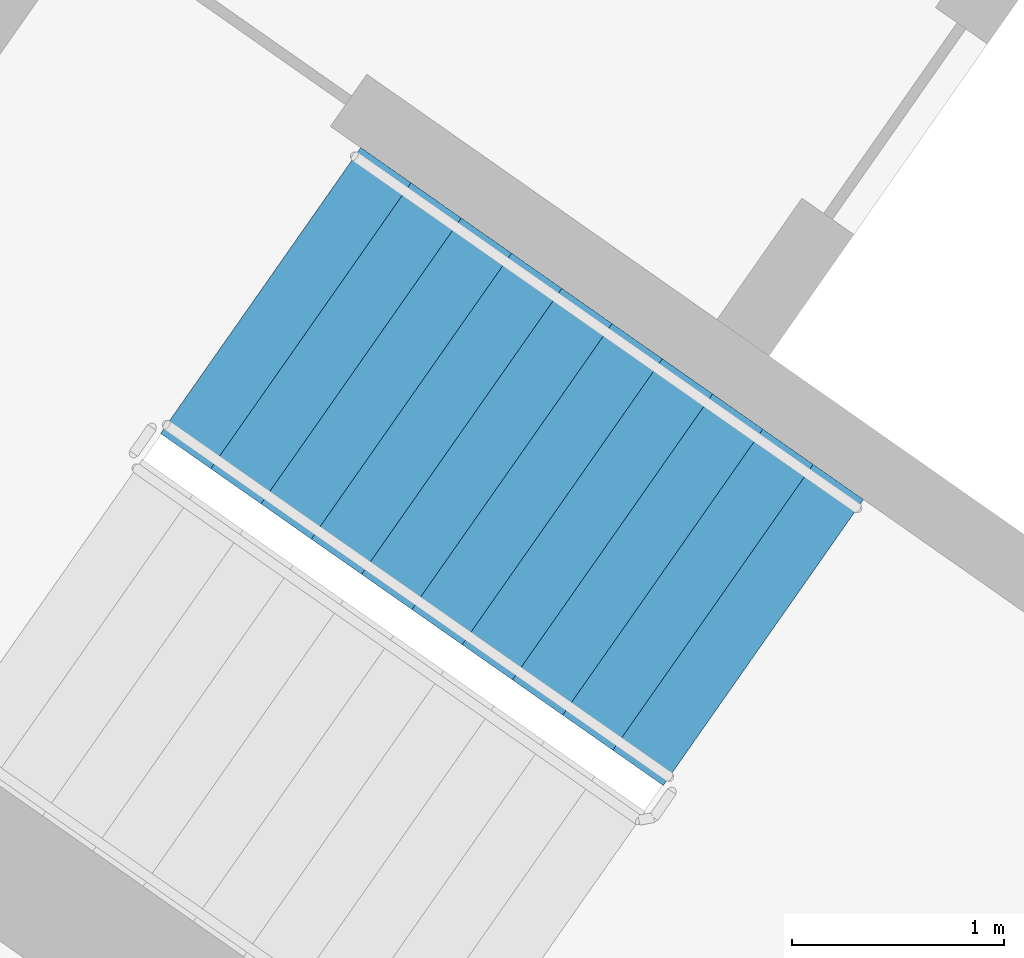
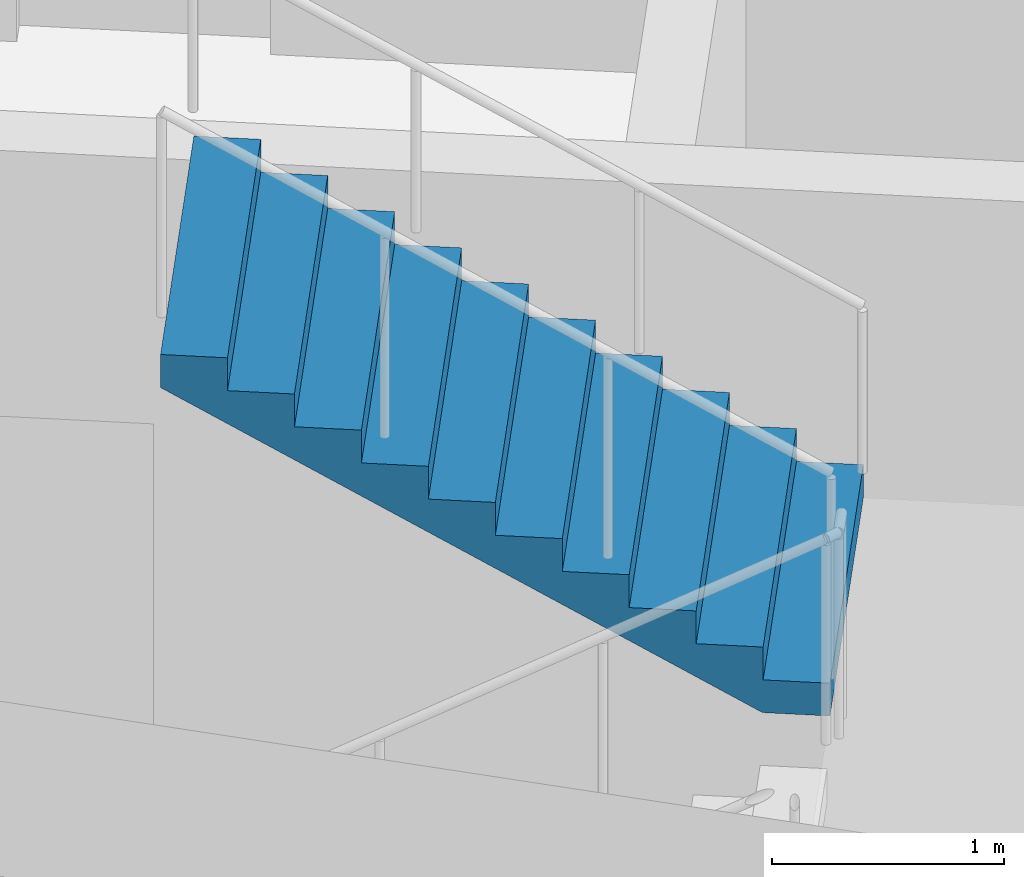
# One storey, part 11 of 28: 1 stair flight, 1 element without a shape of its own.
"""IFC4 building model written with IfcOpenShell, lengths in metres."""

from ifc_helpers import new_model, si_unit, direction, frame, origin, place, context, subcontext, project, spatial, faceted_brep, material, type_object, element, aggregate, save


model = new_model("IFC4")

# Units and contexts
model_context = context("Model", 3, precision=1e-05, world=origin(), true_north=direction((0.0, 1.0)))
body_context = subcontext(model_context, "Body", "Model", "MODEL_VIEW")
ifc_project = project(units=[si_unit("LENGTHUNIT", "METRE"), si_unit("AREAUNIT", "SQUARE_METRE"), si_unit("VOLUMEUNIT", "CUBIC_METRE"), si_unit("PLANEANGLEUNIT", "RADIAN"), si_unit("MASSUNIT", "GRAM", prefix="KILO")], contexts=[model_context])

# Site, building, storey
site_placement = place(None, origin())
site = spatial("IfcSite", under=ifc_project, at=site_placement, CompositionType="ELEMENT")
building_placement = place(site_placement, origin())
building = spatial("IfcBuilding", under=site, at=building_placement, Name="Qamariyya Broadcast Tower", CompositionType="ELEMENT")
storey_placement = place(building_placement, frame((0.0, 0.0, 234.10009765625)))
storey = spatial("IfcBuildingStorey", under=building, at=storey_placement, Name="L56", CompositionType="ELEMENT", Elevation=234.10009765625)

# Stair, stair flight
ifc_material = material(Name="Concrete C50/60", Category="concrete")
stair_type = type_object("IfcStairType", Name="Exit stair 22 risers of 173 mm", PredefinedType="HALF_TURN_STAIR", material=ifc_material)
stair_placement = place(storey_placement, origin())
stair = element("IfcStair", 1, at=stair_placement, inside=storey, type_object=stair_type, Name="L56 Stair W1", PredefinedType="HALF_TURN_STAIR")
stair_flight_type = type_object("IfcStairFlightType", Name="Exit stair flight 11 risers of 173 mm", PredefinedType="STRAIGHT", material=ifc_material)
stair_flight_placement = place(storey_placement, frame((-43.660888671875, -57.17138671875, 1.89990234375), z_axis=(0.0, 0.0, 1.0), x_axis=(-0.819152044289, 0.573576436351, 0.0)))
stair_flight = element("IfcStairFlight", 2, at=stair_flight_placement, type_object=stair_flight_type, Name="ST-W1 flight 2", NumberOfRisers=11, NumberOfTreads=10, PredefinedType="STRAIGHT", RiserHeight=0.172727273, TreadLength=0.29, context=body_context, shape_type="Brep", body=[
    faceted_brep([(0.0, 0.824951171875, 0.0), (0.0, 0.824951171875, 0.172607421875), (0.2900390625, 0.824951171875, 0.172607421875), (0.2900390625, 0.824951171875, 0.345458984375), (0.580078125, 0.824951171875, 0.345458984375), (0.580078125, 0.824951171875, 0.51806640625), (0.8701171875, 0.824951171875, 0.51806640625), (0.8701171875, 0.824951171875, 0.69091796875), (1.159912109375, 0.824951171875, 0.69091796875), (1.159912109375, 0.824951171875, 0.863525390625), (1.449951171875, 0.824951171875, 0.863525390625), (1.449951171875, 0.824951171875, 1.036376953125), (1.739990234375, 0.824951171875, 1.036376953125), (1.739990234375, 0.824951171875, 1.208984375), (2.030029296875, 0.824951171875, 1.208984375), (2.030029296875, 0.824951171875, 1.3818359375), (2.320068359375, 0.824951171875, 1.3818359375), (2.320068359375, 0.824951171875, 1.554443359375), (2.610107421875, 0.824951171875, 1.554443359375), (2.610107421875, 0.824951171875, 1.727294921875), (2.89990234375, 0.824951171875, 1.727294921875), (2.89990234375, 0.824951171875, 1.552734375), (0.29296875, 0.824951171875, 0.0), (0.29296875, -0.824951171875, 0.0), (2.89990234375, -0.824951171875, 1.552734375), (2.89990234375, -0.824951171875, 1.727294921875), (2.610107421875, -0.824951171875, 1.727294921875), (2.610107421875, -0.824951171875, 1.554443359375), (2.320068359375, -0.824951171875, 1.554443359375), (2.320068359375, -0.824951171875, 1.3818359375), (2.030029296875, -0.824951171875, 1.3818359375), (2.030029296875, -0.824951171875, 1.208984375), (1.739990234375, -0.824951171875, 1.208984375), (1.739990234375, -0.824951171875, 1.036376953125), (1.449951171875, -0.824951171875, 1.036376953125), (1.449951171875, -0.824951171875, 0.863525390625), (1.159912109375, -0.824951171875, 0.863525390625), (1.159912109375, -0.824951171875, 0.69091796875), (0.8701171875, -0.824951171875, 0.69091796875), (0.8701171875, -0.824951171875, 0.51806640625), (0.580078125, -0.824951171875, 0.51806640625), (0.580078125, -0.824951171875, 0.345458984375), (0.2900390625, -0.824951171875, 0.345458984375), (0.2900390625, -0.824951171875, 0.172607421875), (0.0, -0.824951171875, 0.172607421875), (0.0, -0.824951171875, 0.0), (0.0, 0.10009765625, 0.0), (0.0, 0.086669921875, 0.0), (0.0, 0.0732421875, 0.0), (0.0, 0.06005859375, 0.0), (0.0, 0.046630859375, 0.0), (0.0, 0.033447265625, 0.0), (0.0, 0.02001953125, 0.0), (0.0, 0.006591796875, 0.0), (0.0, -0.006591796875, 0.0), (0.0, -0.02001953125, 0.0), (0.0, -0.033447265625, 0.0), (0.0, -0.046630859375, 0.0), (0.0, -0.06005859375, 0.0), (0.0, -0.0732421875, 0.0), (0.0, -0.086669921875, 0.0), (0.0, -0.10009765625, 0.0), (0.0, -0.10009765625, 0.172607421875), (0.0, -0.086669921875, 0.172607421875), (0.0, -0.0732421875, 0.172607421875), (0.0, -0.06005859375, 0.172607421875), (0.0, -0.046630859375, 0.172607421875), (0.0, -0.033447265625, 0.172607421875), (0.0, -0.02001953125, 0.172607421875), (0.0, -0.006591796875, 0.172607421875), (0.0, 0.006591796875, 0.172607421875), (0.0, 0.02001953125, 0.172607421875), (0.0, 0.033447265625, 0.172607421875), (0.0, 0.046630859375, 0.172607421875), (0.0, 0.06005859375, 0.172607421875), (0.0, 0.0732421875, 0.172607421875), (0.0, 0.086669921875, 0.172607421875), (0.0, 0.10009765625, 0.172607421875), (0.2900390625, -0.10009765625, 0.172607421875), (0.2900390625, -0.086669921875, 0.172607421875), (0.2900390625, -0.0732421875, 0.172607421875), (0.2900390625, -0.06005859375, 0.172607421875), (0.2900390625, -0.046630859375, 0.172607421875), (0.2900390625, -0.033447265625, 0.172607421875), (0.2900390625, -0.02001953125, 0.172607421875), (0.2900390625, -0.006591796875, 0.172607421875), (0.2900390625, 0.006591796875, 0.172607421875), (0.2900390625, 0.02001953125, 0.172607421875), (0.2900390625, 0.033447265625, 0.172607421875), (0.2900390625, 0.046630859375, 0.172607421875), (0.2900390625, 0.06005859375, 0.172607421875), (0.2900390625, 0.0732421875, 0.172607421875), (0.2900390625, 0.086669921875, 0.172607421875), (0.2900390625, 0.10009765625, 0.172607421875), (0.2900390625, -0.10009765625, 0.345458984375), (0.2900390625, -0.086669921875, 0.345458984375), (0.2900390625, -0.0732421875, 0.345458984375), (0.2900390625, -0.06005859375, 0.345458984375), (0.2900390625, -0.046630859375, 0.345458984375), (0.2900390625, -0.033447265625, 0.345458984375), (0.2900390625, -0.02001953125, 0.345458984375), (0.2900390625, -0.006591796875, 0.345458984375), (0.2900390625, 0.006591796875, 0.345458984375), (0.2900390625, 0.02001953125, 0.345458984375), (0.2900390625, 0.033447265625, 0.345458984375), (0.2900390625, 0.046630859375, 0.345458984375), (0.2900390625, 0.06005859375, 0.345458984375), (0.2900390625, 0.0732421875, 0.345458984375), (0.2900390625, 0.086669921875, 0.345458984375), (0.2900390625, 0.10009765625, 0.345458984375), (0.580078125, -0.10009765625, 0.345458984375), (0.580078125, -0.086669921875, 0.345458984375), (0.580078125, -0.0732421875, 0.345458984375), (0.580078125, -0.06005859375, 0.345458984375), (0.580078125, -0.046630859375, 0.345458984375), (0.580078125, -0.033447265625, 0.345458984375), (0.580078125, -0.02001953125, 0.345458984375), (0.580078125, -0.006591796875, 0.345458984375), (0.580078125, 0.006591796875, 0.345458984375), (0.580078125, 0.02001953125, 0.345458984375), (0.580078125, 0.033447265625, 0.345458984375), (0.580078125, 0.046630859375, 0.345458984375), (0.580078125, 0.06005859375, 0.345458984375), (0.580078125, 0.0732421875, 0.345458984375), (0.580078125, 0.086669921875, 0.345458984375), (0.580078125, 0.10009765625, 0.345458984375), (0.580078125, -0.10009765625, 0.51806640625), (0.580078125, -0.086669921875, 0.51806640625), (0.580078125, -0.0732421875, 0.51806640625), (0.580078125, -0.06005859375, 0.51806640625), (0.580078125, -0.046630859375, 0.51806640625), (0.580078125, -0.033447265625, 0.51806640625), (0.580078125, -0.02001953125, 0.51806640625), (0.580078125, -0.006591796875, 0.51806640625), (0.580078125, 0.006591796875, 0.51806640625), (0.580078125, 0.02001953125, 0.51806640625), (0.580078125, 0.033447265625, 0.51806640625), (0.580078125, 0.046630859375, 0.51806640625), (0.580078125, 0.06005859375, 0.51806640625), (0.580078125, 0.0732421875, 0.51806640625), (0.580078125, 0.086669921875, 0.51806640625), (0.580078125, 0.10009765625, 0.51806640625), (0.8701171875, -0.10009765625, 0.51806640625), (0.8701171875, -0.086669921875, 0.51806640625), (0.8701171875, -0.0732421875, 0.51806640625), (0.8701171875, -0.06005859375, 0.51806640625), (0.8701171875, -0.046630859375, 0.51806640625), (0.8701171875, -0.033447265625, 0.51806640625), (0.8701171875, -0.02001953125, 0.51806640625), (0.8701171875, -0.006591796875, 0.51806640625), (0.8701171875, 0.006591796875, 0.51806640625), (0.8701171875, 0.02001953125, 0.51806640625), (0.8701171875, 0.033447265625, 0.51806640625), (0.8701171875, 0.046630859375, 0.51806640625), (0.8701171875, 0.06005859375, 0.51806640625), (0.8701171875, 0.0732421875, 0.51806640625), (0.8701171875, 0.086669921875, 0.51806640625), (0.8701171875, 0.10009765625, 0.51806640625), (0.8701171875, -0.10009765625, 0.69091796875), (0.8701171875, -0.086669921875, 0.69091796875), (0.8701171875, -0.0732421875, 0.69091796875), (0.8701171875, -0.06005859375, 0.69091796875), (0.8701171875, -0.046630859375, 0.69091796875), (0.8701171875, -0.033447265625, 0.69091796875), (0.8701171875, -0.02001953125, 0.69091796875), (0.8701171875, -0.006591796875, 0.69091796875), (0.8701171875, 0.006591796875, 0.69091796875), (0.8701171875, 0.02001953125, 0.69091796875), (0.8701171875, 0.033447265625, 0.69091796875), (0.8701171875, 0.046630859375, 0.69091796875), (0.8701171875, 0.06005859375, 0.69091796875), (0.8701171875, 0.0732421875, 0.69091796875), (0.8701171875, 0.086669921875, 0.69091796875), (0.8701171875, 0.10009765625, 0.69091796875), (1.159912109375, -0.10009765625, 0.69091796875), (1.159912109375, -0.086669921875, 0.69091796875), (1.159912109375, -0.0732421875, 0.69091796875), (1.159912109375, -0.06005859375, 0.69091796875), (1.159912109375, -0.046630859375, 0.69091796875), (1.159912109375, -0.033447265625, 0.69091796875), (1.159912109375, -0.02001953125, 0.69091796875), (1.159912109375, -0.006591796875, 0.69091796875), (1.159912109375, 0.006591796875, 0.69091796875), (1.159912109375, 0.02001953125, 0.69091796875), (1.159912109375, 0.033447265625, 0.69091796875), (1.159912109375, 0.046630859375, 0.69091796875), (1.159912109375, 0.06005859375, 0.69091796875), (1.159912109375, 0.0732421875, 0.69091796875), (1.159912109375, 0.086669921875, 0.69091796875), (1.159912109375, 0.10009765625, 0.69091796875), (1.159912109375, -0.10009765625, 0.863525390625), (1.159912109375, -0.086669921875, 0.863525390625), (1.159912109375, -0.0732421875, 0.863525390625), (1.159912109375, -0.06005859375, 0.863525390625), (1.159912109375, -0.046630859375, 0.863525390625), (1.159912109375, -0.033447265625, 0.863525390625), (1.159912109375, -0.02001953125, 0.863525390625), (1.159912109375, -0.006591796875, 0.863525390625), (1.159912109375, 0.006591796875, 0.863525390625), (1.159912109375, 0.02001953125, 0.863525390625), (1.159912109375, 0.033447265625, 0.863525390625), (1.159912109375, 0.046630859375, 0.863525390625), (1.159912109375, 0.06005859375, 0.863525390625), (1.159912109375, 0.0732421875, 0.863525390625), (1.159912109375, 0.086669921875, 0.863525390625), (1.159912109375, 0.10009765625, 0.863525390625), (1.449951171875, -0.10009765625, 0.863525390625), (1.449951171875, -0.086669921875, 0.863525390625), (1.449951171875, -0.0732421875, 0.863525390625), (1.449951171875, -0.06005859375, 0.863525390625), (1.449951171875, -0.046630859375, 0.863525390625), (1.449951171875, -0.033447265625, 0.863525390625), (1.449951171875, -0.02001953125, 0.863525390625), (1.449951171875, -0.006591796875, 0.863525390625), (1.449951171875, 0.006591796875, 0.863525390625), (1.449951171875, 0.02001953125, 0.863525390625), (1.449951171875, 0.033447265625, 0.863525390625), (1.449951171875, 0.046630859375, 0.863525390625), (1.449951171875, 0.06005859375, 0.863525390625), (1.449951171875, 0.0732421875, 0.863525390625), (1.449951171875, 0.086669921875, 0.863525390625), (1.449951171875, 0.10009765625, 0.863525390625), (1.449951171875, -0.10009765625, 1.036376953125), (1.449951171875, -0.086669921875, 1.036376953125), (1.449951171875, -0.0732421875, 1.036376953125), (1.449951171875, -0.06005859375, 1.036376953125), (1.449951171875, -0.046630859375, 1.036376953125), (1.449951171875, -0.033447265625, 1.036376953125), (1.449951171875, -0.02001953125, 1.036376953125), (1.449951171875, -0.006591796875, 1.036376953125), (1.449951171875, 0.006591796875, 1.036376953125), (1.449951171875, 0.02001953125, 1.036376953125), (1.449951171875, 0.033447265625, 1.036376953125), (1.449951171875, 0.046630859375, 1.036376953125), (1.449951171875, 0.06005859375, 1.036376953125), (1.449951171875, 0.0732421875, 1.036376953125), (1.449951171875, 0.086669921875, 1.036376953125), (1.449951171875, 0.10009765625, 1.036376953125), (1.739990234375, -0.10009765625, 1.036376953125), (1.739990234375, -0.086669921875, 1.036376953125), (1.739990234375, -0.0732421875, 1.036376953125), (1.739990234375, -0.06005859375, 1.036376953125), (1.739990234375, -0.046630859375, 1.036376953125), (1.739990234375, -0.033447265625, 1.036376953125), (1.739990234375, -0.02001953125, 1.036376953125), (1.739990234375, -0.006591796875, 1.036376953125), (1.739990234375, 0.006591796875, 1.036376953125), (1.739990234375, 0.02001953125, 1.036376953125), (1.739990234375, 0.033447265625, 1.036376953125), (1.739990234375, 0.046630859375, 1.036376953125), (1.739990234375, 0.06005859375, 1.036376953125), (1.739990234375, 0.0732421875, 1.036376953125), (1.739990234375, 0.086669921875, 1.036376953125), (1.739990234375, 0.10009765625, 1.036376953125), (1.739990234375, -0.10009765625, 1.208984375), (1.739990234375, -0.086669921875, 1.208984375), (1.739990234375, -0.0732421875, 1.208984375), (1.739990234375, -0.06005859375, 1.208984375), (1.739990234375, -0.046630859375, 1.208984375), (1.739990234375, -0.033447265625, 1.208984375), (1.739990234375, -0.02001953125, 1.208984375), (1.739990234375, -0.006591796875, 1.208984375), (1.739990234375, 0.006591796875, 1.208984375), (1.739990234375, 0.02001953125, 1.208984375), (1.739990234375, 0.033447265625, 1.208984375), (1.739990234375, 0.046630859375, 1.208984375), (1.739990234375, 0.06005859375, 1.208984375), (1.739990234375, 0.0732421875, 1.208984375), (1.739990234375, 0.086669921875, 1.208984375), (1.739990234375, 0.10009765625, 1.208984375), (2.030029296875, -0.10009765625, 1.208984375), (2.030029296875, -0.086669921875, 1.208984375), (2.030029296875, -0.0732421875, 1.208984375), (2.030029296875, -0.06005859375, 1.208984375), (2.030029296875, -0.046630859375, 1.208984375), (2.030029296875, -0.033447265625, 1.208984375), (2.030029296875, -0.02001953125, 1.208984375), (2.030029296875, -0.006591796875, 1.208984375), (2.030029296875, 0.006591796875, 1.208984375), (2.030029296875, 0.02001953125, 1.208984375), (2.030029296875, 0.033447265625, 1.208984375), (2.030029296875, 0.046630859375, 1.208984375), (2.030029296875, 0.06005859375, 1.208984375), (2.030029296875, 0.0732421875, 1.208984375), (2.030029296875, 0.086669921875, 1.208984375), (2.030029296875, 0.10009765625, 1.208984375), (2.030029296875, -0.10009765625, 1.3818359375), (2.030029296875, -0.086669921875, 1.3818359375), (2.030029296875, -0.0732421875, 1.3818359375), (2.030029296875, -0.06005859375, 1.3818359375), (2.030029296875, -0.046630859375, 1.3818359375), (2.030029296875, -0.033447265625, 1.3818359375), (2.030029296875, -0.02001953125, 1.3818359375), (2.030029296875, -0.006591796875, 1.3818359375), (2.030029296875, 0.006591796875, 1.3818359375), (2.030029296875, 0.02001953125, 1.3818359375), (2.030029296875, 0.033447265625, 1.3818359375), (2.030029296875, 0.046630859375, 1.3818359375), (2.030029296875, 0.06005859375, 1.3818359375), (2.030029296875, 0.0732421875, 1.3818359375), (2.030029296875, 0.086669921875, 1.3818359375), (2.030029296875, 0.10009765625, 1.3818359375), (2.320068359375, -0.10009765625, 1.3818359375), (2.320068359375, -0.086669921875, 1.3818359375), (2.320068359375, -0.0732421875, 1.3818359375), (2.320068359375, -0.06005859375, 1.3818359375), (2.320068359375, -0.046630859375, 1.3818359375), (2.320068359375, -0.033447265625, 1.3818359375), (2.320068359375, -0.02001953125, 1.3818359375), (2.320068359375, -0.006591796875, 1.3818359375), (2.320068359375, 0.006591796875, 1.3818359375), (2.320068359375, 0.02001953125, 1.3818359375), (2.320068359375, 0.033447265625, 1.3818359375), (2.320068359375, 0.046630859375, 1.3818359375), (2.320068359375, 0.06005859375, 1.3818359375), (2.320068359375, 0.0732421875, 1.3818359375), (2.320068359375, 0.086669921875, 1.3818359375), (2.320068359375, 0.10009765625, 1.3818359375), (2.320068359375, -0.10009765625, 1.554443359375), (2.320068359375, -0.086669921875, 1.554443359375), (2.320068359375, -0.0732421875, 1.554443359375), (2.320068359375, -0.06005859375, 1.554443359375), (2.320068359375, -0.046630859375, 1.554443359375), (2.320068359375, -0.033447265625, 1.554443359375), (2.320068359375, -0.02001953125, 1.554443359375), (2.320068359375, -0.006591796875, 1.554443359375), (2.320068359375, 0.006591796875, 1.554443359375), (2.320068359375, 0.02001953125, 1.554443359375), (2.320068359375, 0.033447265625, 1.554443359375), (2.320068359375, 0.046630859375, 1.554443359375), (2.320068359375, 0.06005859375, 1.554443359375), (2.320068359375, 0.0732421875, 1.554443359375), (2.320068359375, 0.086669921875, 1.554443359375), (2.320068359375, 0.10009765625, 1.554443359375), (2.610107421875, -0.10009765625, 1.554443359375), (2.610107421875, -0.086669921875, 1.554443359375), (2.610107421875, -0.0732421875, 1.554443359375), (2.610107421875, -0.06005859375, 1.554443359375), (2.610107421875, -0.046630859375, 1.554443359375), (2.610107421875, -0.033447265625, 1.554443359375), (2.610107421875, -0.02001953125, 1.554443359375), (2.610107421875, -0.006591796875, 1.554443359375), (2.610107421875, 0.006591796875, 1.554443359375), (2.610107421875, 0.02001953125, 1.554443359375), (2.610107421875, 0.033447265625, 1.554443359375), (2.610107421875, 0.046630859375, 1.554443359375), (2.610107421875, 0.06005859375, 1.554443359375), (2.610107421875, 0.0732421875, 1.554443359375), (2.610107421875, 0.086669921875, 1.554443359375), (2.610107421875, 0.10009765625, 1.554443359375), (2.610107421875, -0.10009765625, 1.727294921875), (2.610107421875, -0.086669921875, 1.727294921875), (2.610107421875, -0.0732421875, 1.727294921875), (2.610107421875, -0.06005859375, 1.727294921875), (2.610107421875, -0.046630859375, 1.727294921875), (2.610107421875, -0.033447265625, 1.727294921875), (2.610107421875, -0.02001953125, 1.727294921875), (2.610107421875, -0.006591796875, 1.727294921875), (2.610107421875, 0.006591796875, 1.727294921875), (2.610107421875, 0.02001953125, 1.727294921875), (2.610107421875, 0.033447265625, 1.727294921875), (2.610107421875, 0.046630859375, 1.727294921875), (2.610107421875, 0.06005859375, 1.727294921875), (2.610107421875, 0.0732421875, 1.727294921875), (2.610107421875, 0.086669921875, 1.727294921875), (2.610107421875, 0.10009765625, 1.727294921875), (2.89990234375, -0.10009765625, 1.727294921875), (2.89990234375, -0.086669921875, 1.727294921875), (2.89990234375, -0.0732421875, 1.727294921875), (2.89990234375, -0.06005859375, 1.727294921875), (2.89990234375, -0.046630859375, 1.727294921875), (2.89990234375, -0.033447265625, 1.727294921875), (2.89990234375, -0.02001953125, 1.727294921875), (2.89990234375, -0.006591796875, 1.727294921875), (2.89990234375, 0.006591796875, 1.727294921875), (2.89990234375, 0.02001953125, 1.727294921875), (2.89990234375, 0.033447265625, 1.727294921875), (2.89990234375, 0.046630859375, 1.727294921875), (2.89990234375, 0.06005859375, 1.727294921875), (2.89990234375, 0.0732421875, 1.727294921875), (2.89990234375, 0.086669921875, 1.727294921875), (2.89990234375, 0.10009765625, 1.727294921875), (2.89990234375, -0.10009765625, 1.552734375), (2.89990234375, -0.086669921875, 1.552734375), (2.89990234375, -0.0732421875, 1.552734375), (2.89990234375, -0.06005859375, 1.552734375), (2.89990234375, -0.046630859375, 1.552734375), (2.89990234375, -0.033447265625, 1.552734375), (2.89990234375, -0.02001953125, 1.552734375), (2.89990234375, -0.006591796875, 1.552734375), (2.89990234375, 0.006591796875, 1.552734375), (2.89990234375, 0.02001953125, 1.552734375), (2.89990234375, 0.033447265625, 1.552734375), (2.89990234375, 0.046630859375, 1.552734375), (2.89990234375, 0.06005859375, 1.552734375), (2.89990234375, 0.0732421875, 1.552734375), (2.89990234375, 0.086669921875, 1.552734375), (2.89990234375, 0.10009765625, 1.552734375), (0.29296875, -0.10009765625, 0.0), (0.29296875, -0.086669921875, 0.0), (0.29296875, -0.0732421875, 0.0), (0.29296875, -0.06005859375, 0.0), (0.29296875, -0.046630859375, 0.0), (0.29296875, -0.033447265625, 0.0), (0.29296875, -0.02001953125, 0.0), (0.29296875, -0.006591796875, 0.0), (0.29296875, 0.006591796875, 0.0), (0.29296875, 0.02001953125, 0.0), (0.29296875, 0.033447265625, 0.0), (0.29296875, 0.046630859375, 0.0), (0.29296875, 0.06005859375, 0.0), (0.29296875, 0.0732421875, 0.0), (0.29296875, 0.086669921875, 0.0), (0.29296875, 0.10009765625, 0.0)], [[[0, 1, 2, 3, 4, 5, 6, 7, 8, 9, 10, 11, 12, 13, 14, 15, 16, 17, 18, 19, 20, 21, 22]], [[23, 24, 25, 26, 27, 28, 29, 30, 31, 32, 33, 34, 35, 36, 37, 38, 39, 40, 41, 42, 43, 44, 45]], [[0, 46, 47, 48, 49, 50, 51, 52, 53, 54, 55, 56, 57, 58, 59, 60, 61, 45, 44, 62, 63, 64, 65, 66, 67, 68, 69, 70, 71, 72, 73, 74, 75, 76, 77, 1]], [[1, 77, 76, 75, 74, 73, 72, 71, 70, 69, 68, 67, 66, 65, 64, 63, 62, 44, 43, 78, 79, 80, 81, 82, 83, 84, 85, 86, 87, 88, 89, 90, 91, 92, 93, 2]], [[2, 93, 92, 91, 90, 89, 88, 87, 86, 85, 84, 83, 82, 81, 80, 79, 78, 43, 42, 94, 95, 96, 97, 98, 99, 100, 101, 102, 103, 104, 105, 106, 107, 108, 109, 3]], [[3, 109, 108, 107, 106, 105, 104, 103, 102, 101, 100, 99, 98, 97, 96, 95, 94, 42, 41, 110, 111, 112, 113, 114, 115, 116, 117, 118, 119, 120, 121, 122, 123, 124, 125, 4]], [[4, 125, 124, 123, 122, 121, 120, 119, 118, 117, 116, 115, 114, 113, 112, 111, 110, 41, 40, 126, 127, 128, 129, 130, 131, 132, 133, 134, 135, 136, 137, 138, 139, 140, 141, 5]], [[5, 141, 140, 139, 138, 137, 136, 135, 134, 133, 132, 131, 130, 129, 128, 127, 126, 40, 39, 142, 143, 144, 145, 146, 147, 148, 149, 150, 151, 152, 153, 154, 155, 156, 157, 6]], [[6, 157, 156, 155, 154, 153, 152, 151, 150, 149, 148, 147, 146, 145, 144, 143, 142, 39, 38, 158, 159, 160, 161, 162, 163, 164, 165, 166, 167, 168, 169, 170, 171, 172, 173, 7]], [[7, 173, 172, 171, 170, 169, 168, 167, 166, 165, 164, 163, 162, 161, 160, 159, 158, 38, 37, 174, 175, 176, 177, 178, 179, 180, 181, 182, 183, 184, 185, 186, 187, 188, 189, 8]], [[8, 189, 188, 187, 186, 185, 184, 183, 182, 181, 180, 179, 178, 177, 176, 175, 174, 37, 36, 190, 191, 192, 193, 194, 195, 196, 197, 198, 199, 200, 201, 202, 203, 204, 205, 9]], [[9, 205, 204, 203, 202, 201, 200, 199, 198, 197, 196, 195, 194, 193, 192, 191, 190, 36, 35, 206, 207, 208, 209, 210, 211, 212, 213, 214, 215, 216, 217, 218, 219, 220, 221, 10]], [[10, 221, 220, 219, 218, 217, 216, 215, 214, 213, 212, 211, 210, 209, 208, 207, 206, 35, 34, 222, 223, 224, 225, 226, 227, 228, 229, 230, 231, 232, 233, 234, 235, 236, 237, 11]], [[11, 237, 236, 235, 234, 233, 232, 231, 230, 229, 228, 227, 226, 225, 224, 223, 222, 34, 33, 238, 239, 240, 241, 242, 243, 244, 245, 246, 247, 248, 249, 250, 251, 252, 253, 12]], [[12, 253, 252, 251, 250, 249, 248, 247, 246, 245, 244, 243, 242, 241, 240, 239, 238, 33, 32, 254, 255, 256, 257, 258, 259, 260, 261, 262, 263, 264, 265, 266, 267, 268, 269, 13]], [[13, 269, 268, 267, 266, 265, 264, 263, 262, 261, 260, 259, 258, 257, 256, 255, 254, 32, 31, 270, 271, 272, 273, 274, 275, 276, 277, 278, 279, 280, 281, 282, 283, 284, 285, 14]], [[14, 285, 284, 283, 282, 281, 280, 279, 278, 277, 276, 275, 274, 273, 272, 271, 270, 31, 30, 286, 287, 288, 289, 290, 291, 292, 293, 294, 295, 296, 297, 298, 299, 300, 301, 15]], [[15, 301, 300, 299, 298, 297, 296, 295, 294, 293, 292, 291, 290, 289, 288, 287, 286, 30, 29, 302, 303, 304, 305, 306, 307, 308, 309, 310, 311, 312, 313, 314, 315, 316, 317, 16]], [[16, 317, 316, 315, 314, 313, 312, 311, 310, 309, 308, 307, 306, 305, 304, 303, 302, 29, 28, 318, 319, 320, 321, 322, 323, 324, 325, 326, 327, 328, 329, 330, 331, 332, 333, 17]], [[17, 333, 332, 331, 330, 329, 328, 327, 326, 325, 324, 323, 322, 321, 320, 319, 318, 28, 27, 334, 335, 336, 337, 338, 339, 340, 341, 342, 343, 344, 345, 346, 347, 348, 349, 18]], [[18, 349, 348, 347, 346, 345, 344, 343, 342, 341, 340, 339, 338, 337, 336, 335, 334, 27, 26, 350, 351, 352, 353, 354, 355, 356, 357, 358, 359, 360, 361, 362, 363, 364, 365, 19]], [[19, 365, 364, 363, 362, 361, 360, 359, 358, 357, 356, 355, 354, 353, 352, 351, 350, 26, 25, 366, 367, 368, 369, 370, 371, 372, 373, 374, 375, 376, 377, 378, 379, 380, 381, 20]], [[20, 381, 380, 379, 378, 377, 376, 375, 374, 373, 372, 371, 370, 369, 368, 367, 366, 25, 24, 382, 383, 384, 385, 386, 387, 388, 389, 390, 391, 392, 393, 394, 395, 396, 397, 21]], [[21, 397, 396, 395, 394, 393, 392, 391, 390, 389, 388, 387, 386, 385, 384, 383, 382, 24, 23, 398, 399, 400, 401, 402, 403, 404, 405, 406, 407, 408, 409, 410, 411, 412, 413, 22]], [[22, 413, 412, 411, 410, 409, 408, 407, 406, 405, 404, 403, 402, 401, 400, 399, 398, 23, 45, 61, 60, 59, 58, 57, 56, 55, 54, 53, 52, 51, 50, 49, 48, 47, 46, 0]]]),
])
aggregate(stair, [stair_flight])

save(model, "model.ifc")
